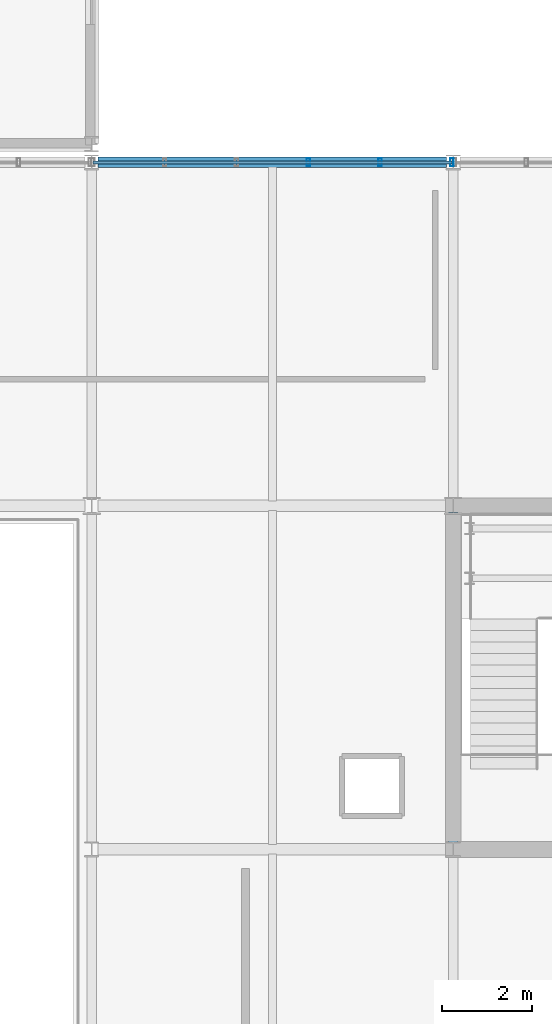
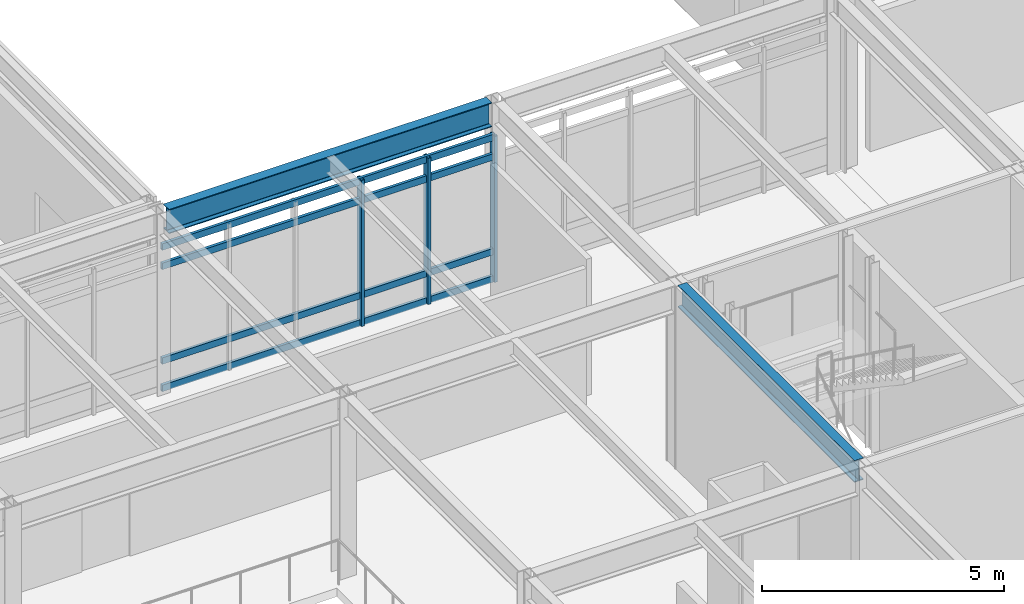
# One storey, part 54 of 104: 7 members, 2 beams, 1 element without a shape of its own.
"""IFC4 building model written with IfcOpenShell, lengths in metres."""

from ifc_helpers import new_model, si_unit, direction, frame, origin, origin_2d, place, context, subcontext, project, spatial, hollow_rectangle, i_section, extrude, material, material_profile, profile_set, type_object, element, aggregate, save


model = new_model("IFC4")

# Units and contexts
model_context = context("Model", 3, precision=1e-05, world=origin(), true_north=direction((0.0, 1.0)))
body_context = subcontext(model_context, "Body", "Model", "MODEL_VIEW")
ifc_project = project(units=[si_unit("LENGTHUNIT", "METRE"), si_unit("AREAUNIT", "SQUARE_METRE"), si_unit("VOLUMEUNIT", "CUBIC_METRE"), si_unit("PLANEANGLEUNIT", "RADIAN"), si_unit("MASSUNIT", "GRAM", prefix="KILO")], contexts=[model_context])

# Site, building, storey
site_placement = place(None, origin())
site = spatial("IfcSite", under=ifc_project, at=site_placement, CompositionType="ELEMENT")
building_placement = place(site_placement, origin())
building = spatial("IfcBuilding", under=site, at=building_placement, Name="Zulena Civic Courthouse", CompositionType="ELEMENT")
storey_placement = place(building_placement, frame((0.0, 0.0, 10.800048828125)))
storey = spatial("IfcBuildingStorey", under=building, at=storey_placement, Name="L02", CompositionType="ELEMENT", Elevation=10.800048828125)

# Curtain wall, members
ifc_material_1 = material(Name="Double-silver low-E laminated solar-control glass", Category="glass")
curtain_wall_type = type_object("IfcCurtainWallType", Name="CW_7940x3690", PredefinedType="USERDEFINED", material=ifc_material_1)
curtain_wall_placement = place(storey_placement, origin())
curtain_wall = element("IfcCurtainWall", 1, at=curtain_wall_placement, inside=storey, type_object=curtain_wall_type, Name="cw:V4:L02:1:5", ObjectType="UNITISED CURTAIN WALL", PredefinedType="USERDEFINED")
ifc_material_2 = material(Name="Bronze anodised thermally broken aluminium AA6063-T6", Category="aluminium")
ifc_material_profile_1 = material_profile(ifc_material_2, hollow_rectangle(XDim=0.074951171875, YDim=0.179931640625, WallThickness=0.0048828125, at=origin_2d()), Name="CWM180X75X5")
ifc_profile_set_1 = profile_set([ifc_material_profile_1], Name="Bronze anodised thermally broken aluminium AA6063-T6")
member_type_1 = type_object("IfcMemberType", Name="CWMullion_180x75", PredefinedType="MULLION", material=ifc_profile_set_1)
member_1_placement = place(storey_placement, frame((112.7939453125, 45.60009765625, 0.0), z_axis=(0.0, 0.0, 1.0), x_axis=(1.0, 0.0, 0.0)))
member_1 = element("IfcMember", 2, at=member_1_placement, type_object=member_type_1, Name="cw:V4:L02:1:5:mull:3", PredefinedType="MULLION", context=body_context, shape_type="SweptSolid", body=[
    extrude(hollow_rectangle(XDim=0.074951171875, YDim=0.179931640625, WallThickness=0.0048828125, at=origin_2d()), origin(), (0.0, 0.0, 1.0), 3.68994140625),
])
member_2_placement = place(storey_placement, frame((114.382080078125, 45.60009765625, 0.0), z_axis=(0.0, 0.0, 1.0), x_axis=(1.0, 0.0, 0.0)))
member_2 = element("IfcMember", 3, at=member_2_placement, type_object=member_type_1, Name="cw:V4:L02:1:5:mull:4", PredefinedType="MULLION", context=body_context, shape_type="SweptSolid", body=[
    extrude(hollow_rectangle(XDim=0.074951171875, YDim=0.179931640625, WallThickness=0.0048828125, at=origin_2d()), origin(), (0.0, 0.0, 1.0), 3.68994140625),
])
member_3_placement = place(storey_placement, frame((115.969970703125, 45.60009765625, 0.0), z_axis=(0.0, 0.0, 1.0), x_axis=(1.0, 0.0, 0.0)))
member_3 = element("IfcMember", 4, at=member_3_placement, type_object=member_type_1, Name="cw:V4:L02:1:5:mull:5", PredefinedType="MULLION", context=body_context, shape_type="SweptSolid", body=[
    extrude(hollow_rectangle(XDim=0.074951171875, YDim=0.179931640625, WallThickness=0.0048828125, at=origin_2d()), origin(), (0.0, 0.0, 1.0), 3.68994140625),
])
ifc_material_profile_2 = material_profile(ifc_material_2, hollow_rectangle(XDim=0.070068359375, YDim=0.1650390625, WallThickness=0.00390625, at=origin_2d()), Name="CWT165X70X4")
ifc_profile_set_2 = profile_set([ifc_material_profile_2], Name="Bronze anodised thermally broken aluminium AA6063-T6")
member_type_2 = type_object("IfcMemberType", Name="CWTransom_165x70", PredefinedType="USERDEFINED", material=ifc_profile_set_2)
member_4_placement = place(storey_placement, frame((108.030029296875, 45.60009765625, 0.06005859375), z_axis=(1.0, 0.0, 0.0), x_axis=(0.0, 1.0, 0.0)))
member_4 = element("IfcMember", 5, at=member_4_placement, type_object=member_type_2, Name="cw:V4:L02:1:5:tran:0", ObjectType="TRANSOM", PredefinedType="USERDEFINED", context=body_context, shape_type="SweptSolid", body=[
    extrude(hollow_rectangle(XDim=0.070068359375, YDim=0.1650390625, WallThickness=0.00390625, at=origin_2d()), origin(), (0.0, 0.0, 1.0), 7.93994140625),
])
member_5_placement = place(storey_placement, frame((108.030029296875, 45.60009765625, 0.75), z_axis=(1.0, 0.0, 0.0), x_axis=(0.0, 1.0, 0.0)))
member_5 = element("IfcMember", 6, at=member_5_placement, type_object=member_type_2, Name="cw:V4:L02:1:5:tran:1", ObjectType="TRANSOM", PredefinedType="USERDEFINED", context=body_context, shape_type="SweptSolid", body=[
    extrude(hollow_rectangle(XDim=0.070068359375, YDim=0.1650390625, WallThickness=0.00390625, at=origin_2d()), origin(), (0.0, 0.0, 1.0), 7.93994140625),
])
member_6_placement = place(storey_placement, frame((108.030029296875, 45.60009765625, 3.139892578125), z_axis=(1.0, 0.0, 0.0), x_axis=(0.0, 1.0, 0.0)))
member_6 = element("IfcMember", 7, at=member_6_placement, type_object=member_type_2, Name="cw:V4:L02:1:5:tran:2", ObjectType="TRANSOM", PredefinedType="USERDEFINED", context=body_context, shape_type="SweptSolid", body=[
    extrude(hollow_rectangle(XDim=0.070068359375, YDim=0.1650390625, WallThickness=0.00390625, at=origin_2d()), origin(), (0.0, 0.0, 1.0), 7.93994140625),
])
member_7_placement = place(storey_placement, frame((108.030029296875, 45.60009765625, 3.6298828125), z_axis=(1.0, 0.0, 0.0), x_axis=(0.0, 1.0, 0.0)))
member_7 = element("IfcMember", 8, at=member_7_placement, type_object=member_type_2, Name="cw:V4:L02:1:5:tran:3", ObjectType="TRANSOM", PredefinedType="USERDEFINED", context=body_context, shape_type="SweptSolid", body=[
    extrude(hollow_rectangle(XDim=0.070068359375, YDim=0.1650390625, WallThickness=0.00390625, at=origin_2d()), origin(), (0.0, 0.0, 1.0), 7.93994140625),
])
aggregate(curtain_wall, [member_1, member_2, member_3, member_4, member_5, member_6, member_7])

# Beams
ifc_material_3 = material(Name="Steel ASTM A992 Grade 50", Category="steel")
ifc_material_profile_3 = material_profile(ifc_material_3, i_section(OverallWidth=0.214111328125, OverallDepth=0.549072265625, WebThickness=0.0146484375, FlangeThickness=0.023681640625, FilletRadius=0.0126953125, at=origin_2d()), Name="W21X93")
ifc_profile_set_3 = profile_set([ifc_material_profile_3], Name="Steel ASTM A992 Grade 50")
beam_type_1 = type_object("IfcBeamType", Name="Girder_W21X93", PredefinedType="BEAM", material=ifc_profile_set_3)
beam_1_placement = place(storey_placement, frame((116.0, 30.544921875, 4.3154296875), z_axis=(0.0, 1.0, 0.0), x_axis=(-1.0, 0.0, 0.0)))
element("IfcBeam", 9, at=beam_1_placement, inside=storey, type_object=beam_type_1, Name="beam:Y:V4:L02:116.0:30.4_38.0", PredefinedType="BEAM", context=body_context, shape_type="SweptSolid", body=[
    extrude(i_section(OverallWidth=0.214111328125, OverallDepth=0.549072265625, WebThickness=0.0146484375, FlangeThickness=0.023681640625, FilletRadius=0.0126953125, at=origin_2d()), origin(), (0.0, 0.0, 1.0), 7.31005859375),
])
ifc_material_profile_4 = material_profile(ifc_material_3, i_section(OverallWidth=0.22998046875, OverallDepth=0.616943359375, WebThickness=0.01318359375, FlangeThickness=0.022216796875, FilletRadius=0.0126953125, at=origin_2d()), Name="W24X94")
ifc_profile_set_4 = profile_set([ifc_material_profile_4], Name="Steel ASTM A992 Grade 50")
beam_type_2 = type_object("IfcBeamType", Name="Spandrel_W24X94", PredefinedType="SPANDREL", material=ifc_profile_set_4)
beam_2_placement = place(storey_placement, frame((108.14501953125, 45.60009765625, 4.281494140625), z_axis=(1.0, 0.0, 0.0), x_axis=(0.0, 1.0, 0.0)))
element("IfcBeam", 10, at=beam_2_placement, inside=storey, type_object=beam_type_2, Name="beam:X:V4:L02:45.6:108.0_116.0", PredefinedType="SPANDREL", context=body_context, shape_type="SweptSolid", body=[
    extrude(i_section(OverallWidth=0.22998046875, OverallDepth=0.616943359375, WebThickness=0.01318359375, FlangeThickness=0.022216796875, FilletRadius=0.0126953125, at=origin_2d()), origin(), (0.0, 0.0, 1.0), 7.7099609375),
])

save(model, "model.ifc")
